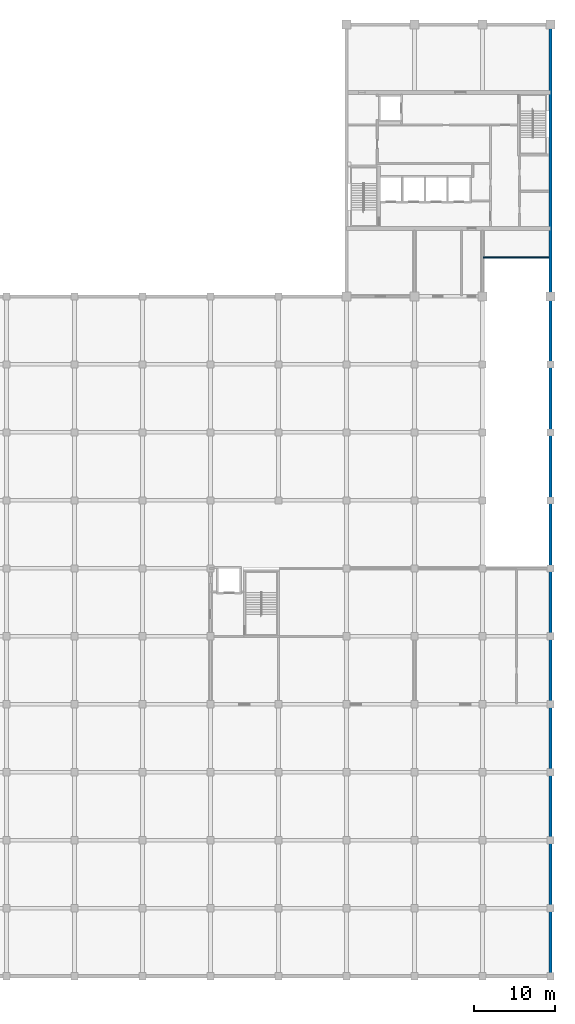
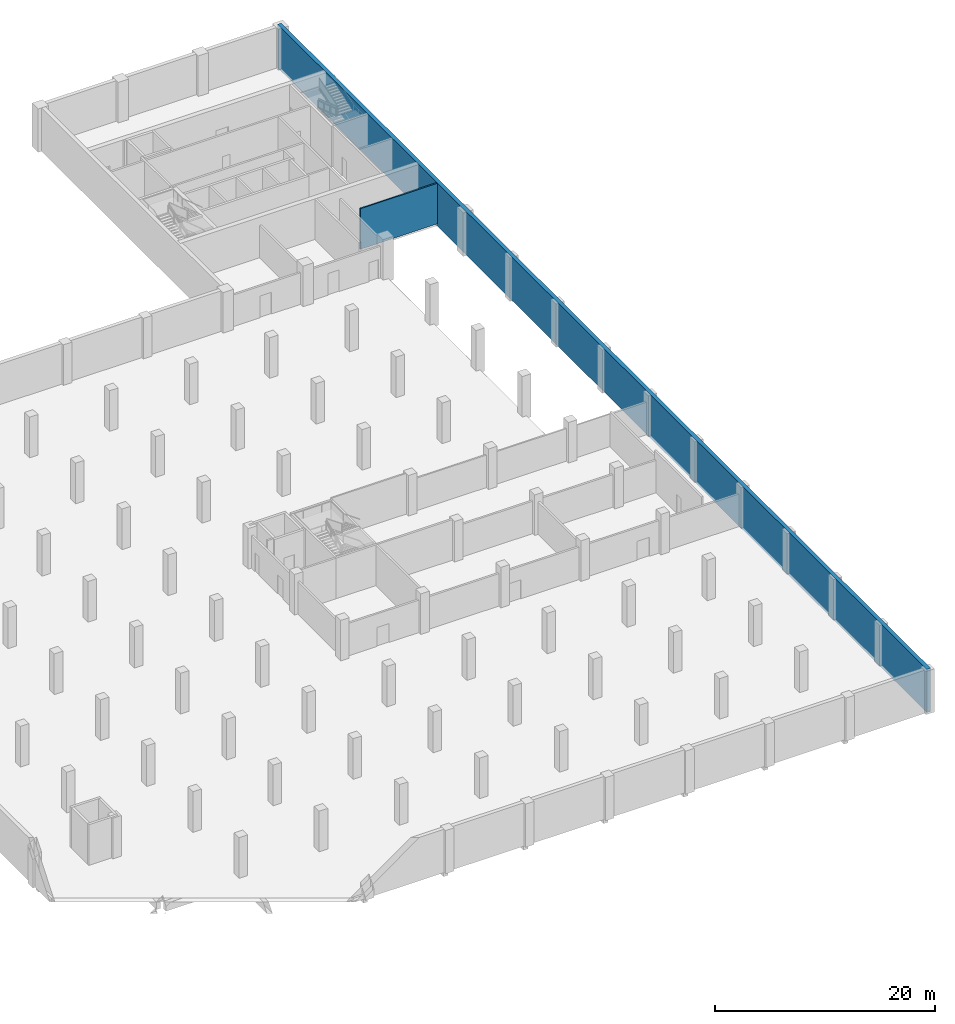
# One storey, part 8 of 13: 2 walls.
"""IFC4 building model written with IfcOpenShell, lengths in metres."""

from ifc_helpers import new_model, si_unit, direction, frame, frame_2d, origin, place, context, subcontext, project, spatial, rectangle, extrude, material, layer, layer_set, type_object, element, save


model = new_model("IFC4")

# Units and contexts
model_context = context("Model", 3, precision=1e-05, world=origin(), true_north=direction((0.0, 1.0)))
body_context = subcontext(model_context, "Body", "Model", "MODEL_VIEW")
ifc_project = project(units=[si_unit("LENGTHUNIT", "METRE"), si_unit("AREAUNIT", "SQUARE_METRE"), si_unit("VOLUMEUNIT", "CUBIC_METRE"), si_unit("PLANEANGLEUNIT", "RADIAN"), si_unit("MASSUNIT", "GRAM", prefix="KILO")], contexts=[model_context])

# Site, building, storey
site_placement = place(None, origin())
site = spatial("IfcSite", under=ifc_project, at=site_placement, CompositionType="ELEMENT")
building_placement = place(site_placement, origin())
building = spatial("IfcBuilding", under=site, at=building_placement, Name="Rulbaag Community and Learning Centre", CompositionType="ELEMENT")
storey_placement = place(building_placement, frame((0.0, 0.0, -4.800048828125)))
storey = spatial("IfcBuildingStorey", under=building, at=storey_placement, Name="B1", CompositionType="ELEMENT", Elevation=-4.800048828125)

# Walls
ifc_material_1 = material(Name="Concrete blockwork", Category="masonry")
ifc_layer_1 = layer(ifc_material_1, 0.14990234375)
ifc_layer_set_1 = layer_set([ifc_layer_1], Name="IP-150 PARTITION 150")
wall_type_1 = type_object("IfcWallType", Name="IP-150 PARTITION 150", PredefinedType="PARTITIONING", material=ifc_layer_set_1)
wall_1_placement = place(storey_placement, frame((159.699951171875, 88.800048828125, 0.0), z_axis=(0.0, 0.0, 1.0), x_axis=(1.0, 0.0, 0.0)))
element("IfcWall", 1, at=wall_1_placement, inside=storey, type_object=wall_type_1, Name="Partition B1 12", PredefinedType="PARTITIONING", context=body_context, shape_type="SweptSolid", body=[
    extrude(rectangle(XDim=8.10009765625, YDim=0.14990234375, at=frame_2d((4.050048828125, 0.0))), origin(), (0.0, 0.0, 1.0), 4.5),
])
ifc_material_2 = material(Name="Concrete M40", Category="concrete")
ifc_layer_2 = layer(ifc_material_2, 0.39990234375)
ifc_layer_set_2 = layer_set([ifc_layer_2], Name="W10 Retaining wall 400 Concrete M40")
wall_type_2 = type_object("IfcWallType", Name="W10 Retaining wall 400 Concrete M40", PredefinedType="SOLIDWALL", material=ifc_layer_set_2)
wall_2_placement = place(storey_placement, frame((168.0, -0.199951171875, -0.300048828125), z_axis=(0.0, 0.0, 1.0), x_axis=(0.0, 1.0, 0.0)))
element("IfcWall", 2, at=wall_2_placement, inside=storey, type_object=wall_type_2, Name="WL-RET-2-B1", PredefinedType="SOLIDWALL", context=body_context, shape_type="SweptSolid", body=[
    extrude(rectangle(XDim=118.0, YDim=0.39990234375, at=frame_2d((59.0, 0.0))), origin(), (0.0, 0.0, 1.0), 4.800048828125),
])

save(model, "model.ifc")
